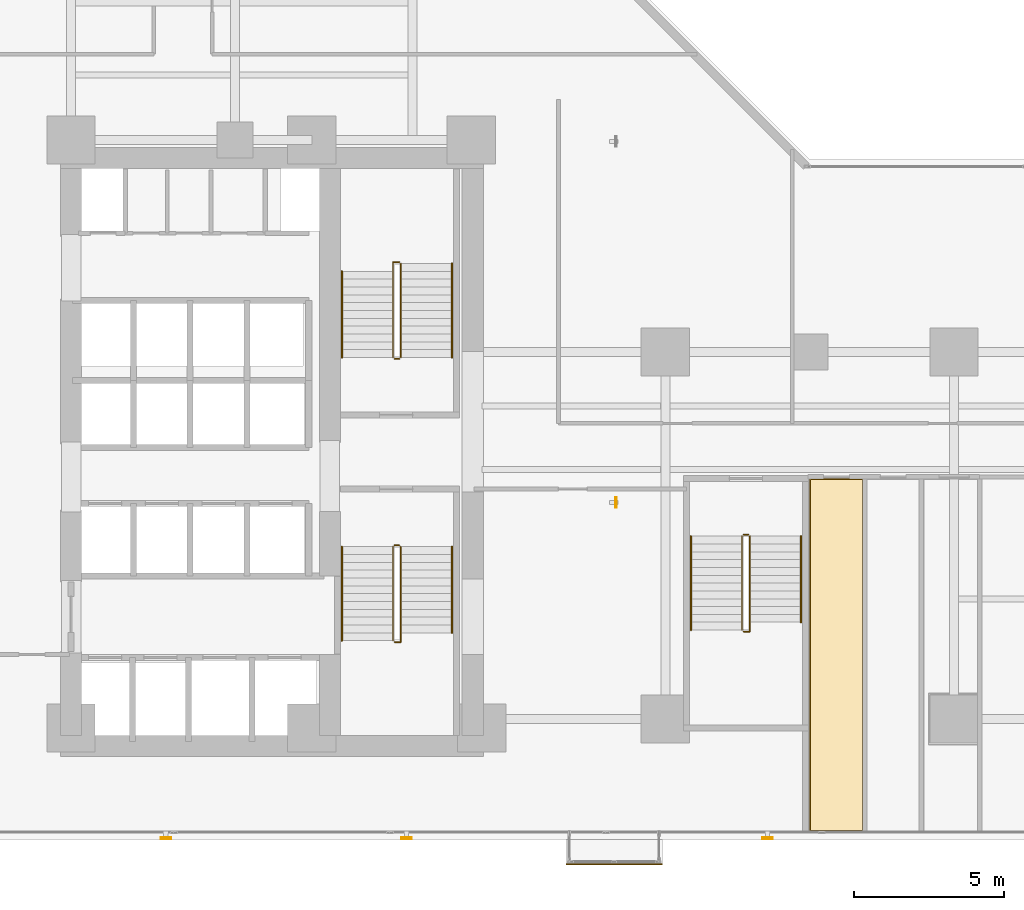
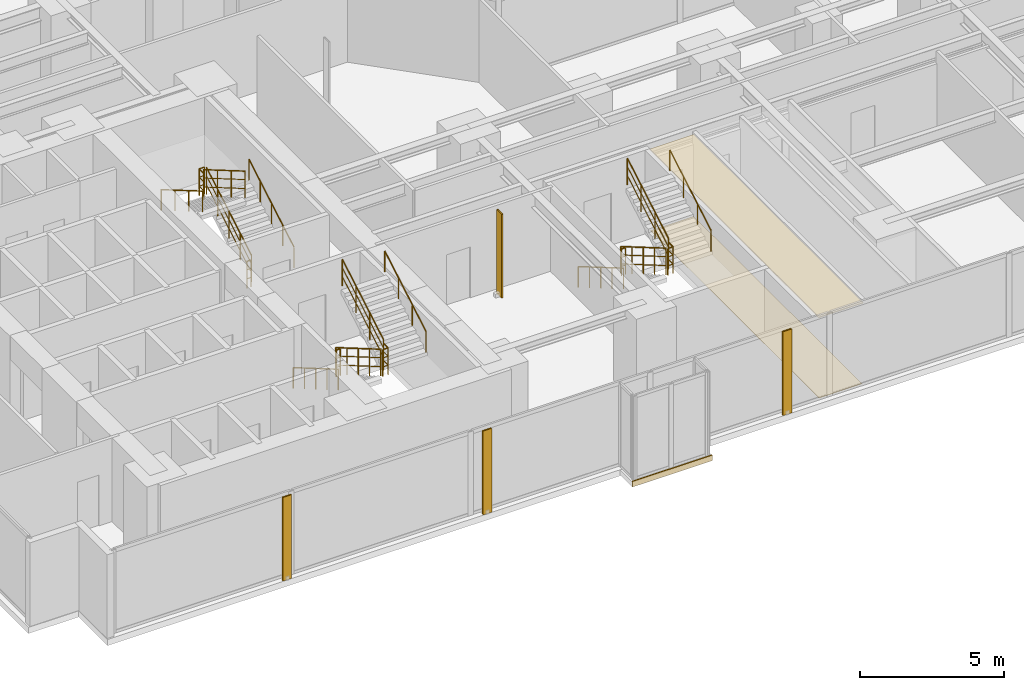
# One storey, part 26 of 28: 18 railings, 4 shading devices, 3 coverings.
"""IFC4 building model written with IfcOpenShell, lengths in metres."""

from ifc_helpers import new_model, si_unit, direction, frame, origin, origin_2d, place, context, subcontext, project, spatial, polyline, rectangle, hollow_rectangle, circle, outline, extrude, material, layer, layer_set, material_profile, profile_set, type_object, element, save


model = new_model("IFC4")

# Units and contexts
model_context = context("Model", 3, precision=1e-05, world=origin(), true_north=direction((0.0, 1.0)))
body_context = subcontext(model_context, "Body", "Model", "MODEL_VIEW")
ifc_project = project(units=[si_unit("LENGTHUNIT", "METRE"), si_unit("AREAUNIT", "SQUARE_METRE"), si_unit("VOLUMEUNIT", "CUBIC_METRE"), si_unit("PLANEANGLEUNIT", "RADIAN"), si_unit("MASSUNIT", "GRAM", prefix="KILO")], contexts=[model_context])

# Site, building, storey
site_placement = place(None, origin())
site = spatial("IfcSite", under=ifc_project, at=site_placement, CompositionType="ELEMENT")
building_placement = place(site_placement, origin())
building = spatial("IfcBuilding", under=site, at=building_placement, Name="Kolvaren Waterfront Exchange", CompositionType="ELEMENT")
storey_placement = place(building_placement, frame((0.0, 0.0, 75.199951171875)))
storey = spatial("IfcBuildingStorey", under=building, at=storey_placement, Name="L19", CompositionType="ELEMENT", Elevation=75.199951171875)

# Coverings
ifc_material_1 = material(Name="Mineral fibre acoustic ceiling tile")
ifc_layer_1 = layer(ifc_material_1, 0.02490234375, Name="Mineral fibre acoustic ceiling tile")
ifc_layer_set_1 = layer_set([ifc_layer_1], Name="Mineral fibre acoustic ceiling tile")
covering_type_1 = type_object("IfcCoveringType", Name="ARC-CEIL-ACOUSTIC-25", PredefinedType="CEILING", material=ifc_layer_set_1)
covering_1_placement = place(storey_placement, frame((0.0, 0.0, 3.425048828125)))
element("IfcCovering", 1, at=covering_1_placement, inside=storey, type_object=covering_type_1, Name="L19 acoustic suspended ceiling 1", PredefinedType="CEILING", context=body_context, shape_type="SweptSolid", body=[
    extrude(outline(polyline([(33.784912109375, 1.465087890625), (33.784912109375, 13.195068359375), (32.0, 13.195068359375), (32.0, 4.800048828125), (31.9951171875, 4.800048828125), (31.9951171875, 1.465087890625), (33.784912109375, 1.465087890625)])), origin(), (0.0, 0.0, 1.0), 0.02490234375),
])
ifc_material_2 = material(Name="Anodised bronze fascia aluminium", Category="aluminium")
ifc_layer_2 = layer(ifc_material_2, 0.034912109375, Name="Anodised bronze fascia aluminium")
ifc_layer_set_2 = layer_set([ifc_layer_2], Name="Anodised bronze fascia aluminium")
covering_type_2 = type_object("IfcCoveringType", Name="ARC-CLAD-BRONZE-35", PredefinedType="CLADDING", material=ifc_layer_set_2)
covering_2_placement = place(storey_placement, frame((25.5, 0.3701171875, -0.2197265625), z_axis=(0.0, 0.0, 1.0), x_axis=(1.0, 0.0, 0.0)))
element("IfcCovering", 2, at=covering_2_placement, inside=storey, type_object=covering_type_2, Name="L19 ribbed anodised bronze bay-box fascia", PredefinedType="CLADDING", context=body_context, shape_type="SweptSolid", body=[
    extrude(rectangle(XDim=3.199951171875, YDim=0.034912109375, at=origin_2d()), origin(), (0.0, 0.0, 1.0), 0.239990234375),
])

# Shading devices
ifc_material_3 = material(Name="Anodised bronze aluminium 6063-T6", Category="aluminium")
ifc_material_profile = material_profile(ifc_material_3, hollow_rectangle(XDim=0.06005859375, YDim=0.35009765625, WallThickness=0.0048828125, at=origin_2d()), Name="BRZ-FIN-350x60x5")
ifc_profile_set = profile_set([ifc_material_profile], Name="Anodised bronze aluminium 6063-T6")
shading_device_type = type_object("IfcShadingDeviceType", Name="ARC-FIN-350", PredefinedType="USERDEFINED", material=ifc_profile_set)
for number, where, z_axis, x_axis, name in (
    (3, (10.60009765625, 1.239990234375, 0.0), (0.0, 0.0, 1.0), (0.0, -1.0, 0.0), "L19 anodised bronze solar shading fin FIN-L19-S1"),
    (4, (18.60009765625, 1.239990234375, 0.0), (0.0, 0.0, 1.0), (0.0, -1.0, 0.0), "L19 anodised bronze solar shading fin FIN-L19-S2"),
    (5, (30.60009765625, 1.239990234375, 0.0), (0.0, 0.0, 1.0), (0.0, -1.0, 0.0), "L19 anodised bronze solar shading fin FIN-L19-S3"),
    (6, (25.56005859375, 12.39990234375, 0.0), (0.0, 0.0, 1.0), (1.0, 0.0, 0.0), "L19 anodised bronze solar shading fin FIN-L19-E1"),
):
    element("IfcShadingDevice", number, at=place(storey_placement, frame(where, z_axis=z_axis, x_axis=x_axis)), inside=storey, type_object=shading_device_type, Name=name, ObjectType="SOLAR FIN", PredefinedType="USERDEFINED", context=body_context, shape_type="SweptSolid", body=[
        extrude(hollow_rectangle(XDim=0.06005859375, YDim=0.35009765625, WallThickness=0.0048828125, at=origin_2d()), origin(), (0.0, 0.0, 1.0), 3.5400390625),
    ])

# Covering
ifc_material_4 = material(Name="Slip-resistant porcelain tile")
ifc_layer_3 = layer(ifc_material_4, 0.014892578125, Name="Slip-resistant porcelain tile")
ifc_layer_set_3 = layer_set([ifc_layer_3], Name="Slip-resistant porcelain tile")
covering_type_3 = type_object("IfcCoveringType", Name="ARC-FLR-PORC-15", PredefinedType="FLOORING", material=ifc_layer_set_3)
covering_3_placement = place(storey_placement, origin())
element("IfcCovering", 7, at=covering_3_placement, inside=storey, type_object=covering_type_3, Name="L19 floor finish 1", PredefinedType="FLOORING", context=body_context, shape_type="SweptSolid", body=[
    extrude(outline(polyline([(32.030029296875, 13.159912109375), (32.030029296875, 1.5), (33.75, 1.5), (33.75, 13.159912109375), (32.030029296875, 13.159912109375)])), origin(), (0.0, 0.0, 1.0), 0.01513671875),
])

# Railings
ifc_material_5 = material(Name="Stainless steel 316", Category="steel")
railing_type_1 = type_object("IfcRailingType", Name="ARC-GUARD-STAIR", PredefinedType="GUARDRAIL", material=ifc_material_5)
railing_1_placement = place(storey_placement, frame((18.14990234375, 10.929931640625, 0.152099609375)))
element("IfcRailing", 8, at=railing_1_placement, inside=storey, type_object=railing_type_1, Name="L19 ST1 stair guard 1", PredefinedType="GUARDRAIL", context=body_context, shape_type="SweptSolid", body=[
    extrude(circle(Radius=0.02392578125, at=origin_2d()), frame((0.0, 0.0, 1.1259765625), z_axis=(0.0, -0.86329090724, 0.504706656858), x_axis=(1.0, 0.0, 0.0)), (0.0, 0.0, 1.0), 3.614013671875),
    extrude(circle(Radius=0.01611328125, at=origin_2d()), frame((0.0, 0.0, 0.390869140625), z_axis=(0.0, -0.86329090724, 0.504706656858), x_axis=(1.0, 0.0, 0.0)), (0.0, 0.0, 1.0), 3.614013671875),
    extrude(circle(Radius=0.01611328125, at=origin_2d()), frame((0.0, 0.0, 0.7705078125), z_axis=(0.0, -0.86329090724, 0.504706656858), x_axis=(1.0, 0.0, 0.0)), (0.0, 0.0, 1.0), 3.614013671875),
    extrude(circle(Radius=0.02099609375, at=origin_2d()), origin(), (0.0, 0.0, 1.0), 1.101806640625),
    extrude(circle(Radius=0.02099609375, at=origin_2d()), frame((0.0, -0.780029296875, 0.4560546875)), (0.0, 0.0, 1.0), 1.101806640625),
    extrude(circle(Radius=0.02099609375, at=origin_2d()), frame((0.0, -1.56005859375, 0.912109375)), (0.0, 0.0, 1.0), 1.101806640625),
    extrude(circle(Radius=0.02099609375, at=origin_2d()), frame((0.0, -2.33984375, 1.367919921875)), (0.0, 0.0, 1.0), 1.101806640625),
    extrude(circle(Radius=0.02099609375, at=origin_2d()), frame((0.0, -3.119873046875, 1.823974609375)), (0.0, 0.0, 1.0), 1.101806640625),
])
railing_2_placement = place(storey_placement, frame((18.199951171875, 7.760009765625, 1.97607421875)))
element("IfcRailing", 9, at=railing_2_placement, inside=storey, type_object=railing_type_1, Name="L19 ST1 stair guard 2", PredefinedType="GUARDRAIL", context=body_context, shape_type="SweptSolid", body=[
    extrude(circle(Radius=0.02392578125, at=origin_2d()), frame((0.0, 0.0, 1.1259765625), z_axis=(1.0, 0.0, 0.0), x_axis=(0.0, 1.0, 0.0)), (0.0, 0.0, 1.0), 0.2099609375),
    extrude(circle(Radius=0.01611328125, at=origin_2d()), frame((0.0, 0.0, 0.390869140625), z_axis=(1.0, 0.0, 0.0), x_axis=(0.0, 1.0, 0.0)), (0.0, 0.0, 1.0), 0.2099609375),
    extrude(circle(Radius=0.01611328125, at=origin_2d()), frame((0.0, 0.0, 0.7705078125), z_axis=(1.0, 0.0, 0.0), x_axis=(0.0, 1.0, 0.0)), (0.0, 0.0, 1.0), 0.2099609375),
    extrude(circle(Radius=0.02392578125, at=origin_2d()), frame((0.2099609375, 0.0, 1.1259765625), z_axis=(0.0, 1.0, 0.0), x_axis=(-1.0, 0.0, 0.0)), (0.0, 0.0, 1.0), 0.31005859375),
    extrude(circle(Radius=0.01611328125, at=origin_2d()), frame((0.2099609375, 0.0, 0.390869140625), z_axis=(0.0, 1.0, 0.0), x_axis=(-1.0, 0.0, 0.0)), (0.0, 0.0, 1.0), 0.31005859375),
    extrude(circle(Radius=0.01611328125, at=origin_2d()), frame((0.2099609375, 0.0, 0.7705078125), z_axis=(0.0, 1.0, 0.0), x_axis=(-1.0, 0.0, 0.0)), (0.0, 0.0, 1.0), 0.31005859375),
    extrude(circle(Radius=0.02099609375, at=origin_2d()), origin(), (0.0, 0.0, 1.0), 1.101806640625),
    extrude(circle(Radius=0.02099609375, at=origin_2d()), frame((0.2099609375, 0.0, 0.0)), (0.0, 0.0, 1.0), 1.101806640625),
    extrude(circle(Radius=0.02099609375, at=origin_2d()), frame((0.2099609375, 0.31005859375, 0.0)), (0.0, 0.0, 1.0), 1.101806640625),
])
railing_3_placement = place(storey_placement, frame((18.409912109375, 8.070068359375, 2.1279296875)))
element("IfcRailing", 10, at=railing_3_placement, inside=storey, type_object=railing_type_1, Name="L19 ST1 stair guard 3", PredefinedType="GUARDRAIL", context=body_context, shape_type="SweptSolid", body=[
    extrude(circle(Radius=0.02392578125, at=origin_2d()), frame((0.0, 0.0, 1.1259765625), z_axis=(0.0, 0.863270611444, 0.50474137082), x_axis=(-1.0, 0.0, 0.0)), (0.0, 0.0, 1.0), 3.312744140625),
    extrude(circle(Radius=0.01611328125, at=origin_2d()), frame((0.0, 0.0, 0.390869140625), z_axis=(0.0, 0.863270611444, 0.50474137082), x_axis=(-1.0, 0.0, 0.0)), (0.0, 0.0, 1.0), 3.312744140625),
    extrude(circle(Radius=0.01611328125, at=origin_2d()), frame((0.0, 0.0, 0.7705078125), z_axis=(0.0, 0.863270611444, 0.50474137082), x_axis=(-1.0, 0.0, 0.0)), (0.0, 0.0, 1.0), 3.312744140625),
    extrude(circle(Radius=0.02099609375, at=origin_2d()), origin(), (0.0, 0.0, 1.0), 1.101806640625),
    extrude(circle(Radius=0.02099609375, at=origin_2d()), frame((0.0, 0.953369140625, 0.557373046875)), (0.0, 0.0, 1.0), 1.101806640625),
    extrude(circle(Radius=0.02099609375, at=origin_2d()), frame((0.0, 1.906494140625, 1.11474609375)), (0.0, 0.0, 1.0), 1.101806640625),
    extrude(circle(Radius=0.02099609375, at=origin_2d()), frame((0.0, 2.85986328125, 1.672119140625)), (0.0, 0.0, 1.0), 1.101806640625),
])
railing_4_placement = place(storey_placement, frame((18.199951171875, 10.97998046875, 0.0)))
element("IfcRailing", 11, at=railing_4_placement, inside=storey, type_object=railing_type_1, Name="L19 ST1 stair guard 4", PredefinedType="GUARDRAIL", context=body_context, shape_type="SweptSolid", body=[
    extrude(circle(Radius=0.02392578125, at=origin_2d()), frame((0.0, 0.0, 1.1259765625), z_axis=(1.0, 0.0, 0.0), x_axis=(0.0, 1.0, 0.0)), (0.0, 0.0, 1.0), 0.16015625),
    extrude(circle(Radius=0.01611328125, at=origin_2d()), frame((0.0, 0.0, 0.390869140625), z_axis=(1.0, 0.0, 0.0), x_axis=(0.0, 1.0, 0.0)), (0.0, 0.0, 1.0), 0.16015625),
    extrude(circle(Radius=0.01611328125, at=origin_2d()), frame((0.0, 0.0, 0.7705078125), z_axis=(1.0, 0.0, 0.0), x_axis=(0.0, 1.0, 0.0)), (0.0, 0.0, 1.0), 0.16015625),
    extrude(circle(Radius=0.02099609375, at=origin_2d()), origin(), (0.0, 0.0, 1.0), 1.101806640625),
    extrude(circle(Radius=0.02099609375, at=origin_2d()), frame((0.16015625, 0.0, 0.0)), (0.0, 0.0, 1.0), 1.101806640625),
])
railing_5_placement = place(storey_placement, frame((18.409912109375, 17.219970703125, 0.152099609375)))
element("IfcRailing", 12, at=railing_5_placement, inside=storey, type_object=railing_type_1, Name="L19 ST2 stair guard 1", PredefinedType="GUARDRAIL", context=body_context, shape_type="SweptSolid", body=[
    extrude(circle(Radius=0.02392578125, at=origin_2d()), frame((0.0, 0.0, 1.1259765625), z_axis=(0.0, 0.86330811405, 0.504677223793), x_axis=(-1.0, 0.0, 0.0)), (0.0, 0.0, 1.0), 3.6142578125),
    extrude(circle(Radius=0.01611328125, at=origin_2d()), frame((0.0, 0.0, 0.390869140625), z_axis=(0.0, 0.86330811405, 0.504677223793), x_axis=(-1.0, 0.0, 0.0)), (0.0, 0.0, 1.0), 3.6142578125),
    extrude(circle(Radius=0.01611328125, at=origin_2d()), frame((0.0, 0.0, 0.7705078125), z_axis=(0.0, 0.86330811405, 0.504677223793), x_axis=(-1.0, 0.0, 0.0)), (0.0, 0.0, 1.0), 3.6142578125),
    extrude(circle(Radius=0.02099609375, at=origin_2d()), origin(), (0.0, 0.0, 1.0), 1.101806640625),
    extrude(circle(Radius=0.02099609375, at=origin_2d()), frame((0.0, 0.780029296875, 0.4560546875)), (0.0, 0.0, 1.0), 1.101806640625),
    extrude(circle(Radius=0.02099609375, at=origin_2d()), frame((0.0, 1.56005859375, 0.912109375)), (0.0, 0.0, 1.0), 1.101806640625),
    extrude(circle(Radius=0.02099609375, at=origin_2d()), frame((0.0, 2.340087890625, 1.367919921875)), (0.0, 0.0, 1.0), 1.101806640625),
    extrude(circle(Radius=0.02099609375, at=origin_2d()), frame((0.0, 3.1201171875, 1.823974609375)), (0.0, 0.0, 1.0), 1.101806640625),
])
railing_6_placement = place(storey_placement, frame((18.360107421875, 20.389892578125, 1.97607421875)))
element("IfcRailing", 13, at=railing_6_placement, inside=storey, type_object=railing_type_1, Name="L19 ST2 stair guard 2", PredefinedType="GUARDRAIL", context=body_context, shape_type="SweptSolid", body=[
    extrude(circle(Radius=0.02392578125, at=origin_2d()), frame((0.0, 0.0, 1.1259765625), z_axis=(-1.0, 0.0, 0.0), x_axis=(0.0, -1.0, 0.0)), (0.0, 0.0, 1.0), 0.210205078125),
    extrude(circle(Radius=0.01611328125, at=origin_2d()), frame((0.0, 0.0, 0.390869140625), z_axis=(-1.0, 0.0, 0.0), x_axis=(0.0, -1.0, 0.0)), (0.0, 0.0, 1.0), 0.210205078125),
    extrude(circle(Radius=0.01611328125, at=origin_2d()), frame((0.0, 0.0, 0.7705078125), z_axis=(-1.0, 0.0, 0.0), x_axis=(0.0, -1.0, 0.0)), (0.0, 0.0, 1.0), 0.210205078125),
    extrude(circle(Radius=0.02392578125, at=origin_2d()), frame((-0.210205078125, 0.0, 1.1259765625), z_axis=(0.0, -1.0, 0.0), x_axis=(1.0, 0.0, 0.0)), (0.0, 0.0, 1.0), 0.309814453125),
    extrude(circle(Radius=0.01611328125, at=origin_2d()), frame((-0.210205078125, 0.0, 0.390869140625), z_axis=(0.0, -1.0, 0.0), x_axis=(1.0, 0.0, 0.0)), (0.0, 0.0, 1.0), 0.309814453125),
    extrude(circle(Radius=0.01611328125, at=origin_2d()), frame((-0.210205078125, 0.0, 0.7705078125), z_axis=(0.0, -1.0, 0.0), x_axis=(1.0, 0.0, 0.0)), (0.0, 0.0, 1.0), 0.309814453125),
    extrude(circle(Radius=0.02099609375, at=origin_2d()), origin(), (0.0, 0.0, 1.0), 1.101806640625),
    extrude(circle(Radius=0.02099609375, at=origin_2d()), frame((-0.210205078125, 0.0, 0.0)), (0.0, 0.0, 1.0), 1.101806640625),
    extrude(circle(Radius=0.02099609375, at=origin_2d()), frame((-0.210205078125, -0.309814453125, 0.0)), (0.0, 0.0, 1.0), 1.101806640625),
])
railing_7_placement = place(storey_placement, frame((18.14990234375, 20.080078125, 2.1279296875)))
element("IfcRailing", 14, at=railing_7_placement, inside=storey, type_object=railing_type_1, Name="L19 ST2 stair guard 3", PredefinedType="GUARDRAIL", context=body_context, shape_type="SweptSolid", body=[
    extrude(circle(Radius=0.02392578125, at=origin_2d()), frame((0.0, 0.0, 1.1259765625), z_axis=(0.0, -0.863289384635, 0.504709261235), x_axis=(1.0, 0.0, 0.0)), (0.0, 0.0, 1.0), 3.31298828125),
    extrude(circle(Radius=0.01611328125, at=origin_2d()), frame((0.0, 0.0, 0.390869140625), z_axis=(0.0, -0.863289384635, 0.504709261235), x_axis=(1.0, 0.0, 0.0)), (0.0, 0.0, 1.0), 3.31298828125),
    extrude(circle(Radius=0.01611328125, at=origin_2d()), frame((0.0, 0.0, 0.7705078125), z_axis=(0.0, -0.863289384635, 0.504709261235), x_axis=(1.0, 0.0, 0.0)), (0.0, 0.0, 1.0), 3.31298828125),
    extrude(circle(Radius=0.02099609375, at=origin_2d()), origin(), (0.0, 0.0, 1.0), 1.101806640625),
    extrude(circle(Radius=0.02099609375, at=origin_2d()), frame((0.0, -0.953369140625, 0.557373046875)), (0.0, 0.0, 1.0), 1.101806640625),
    extrude(circle(Radius=0.02099609375, at=origin_2d()), frame((0.0, -1.90673828125, 1.11474609375)), (0.0, 0.0, 1.0), 1.101806640625),
    extrude(circle(Radius=0.02099609375, at=origin_2d()), frame((0.0, -2.860107421875, 1.672119140625)), (0.0, 0.0, 1.0), 1.101806640625),
])
railing_8_placement = place(storey_placement, frame((18.360107421875, 17.169921875, 0.0)))
element("IfcRailing", 15, at=railing_8_placement, inside=storey, type_object=railing_type_1, Name="L19 ST2 stair guard 4", PredefinedType="GUARDRAIL", context=body_context, shape_type="SweptSolid", body=[
    extrude(circle(Radius=0.02392578125, at=origin_2d()), frame((0.0, 0.0, 1.1259765625), z_axis=(-1.0, 0.0, 0.0), x_axis=(0.0, -1.0, 0.0)), (0.0, 0.0, 1.0), 0.16015625),
    extrude(circle(Radius=0.01611328125, at=origin_2d()), frame((0.0, 0.0, 0.390869140625), z_axis=(-1.0, 0.0, 0.0), x_axis=(0.0, -1.0, 0.0)), (0.0, 0.0, 1.0), 0.16015625),
    extrude(circle(Radius=0.01611328125, at=origin_2d()), frame((0.0, 0.0, 0.7705078125), z_axis=(-1.0, 0.0, 0.0), x_axis=(0.0, -1.0, 0.0)), (0.0, 0.0, 1.0), 0.16015625),
    extrude(circle(Radius=0.02099609375, at=origin_2d()), origin(), (0.0, 0.0, 1.0), 1.101806640625),
    extrude(circle(Radius=0.02099609375, at=origin_2d()), frame((-0.16015625, 0.0, 0.0)), (0.0, 0.0, 1.0), 1.101806640625),
])
railing_9_placement = place(storey_placement, frame((29.75, 11.280029296875, 0.152099609375)))
element("IfcRailing", 16, at=railing_9_placement, inside=storey, type_object=railing_type_1, Name="L19 ST3 stair guard 1", PredefinedType="GUARDRAIL", context=body_context, shape_type="SweptSolid", body=[
    extrude(circle(Radius=0.02392578125, at=origin_2d()), frame((0.0, 0.0, 1.1259765625), z_axis=(0.0, -0.86330811405, 0.504677223793), x_axis=(1.0, 0.0, 0.0)), (0.0, 0.0, 1.0), 3.6142578125),
    extrude(circle(Radius=0.01611328125, at=origin_2d()), frame((0.0, 0.0, 0.390869140625), z_axis=(0.0, -0.86330811405, 0.504677223793), x_axis=(1.0, 0.0, 0.0)), (0.0, 0.0, 1.0), 3.6142578125),
    extrude(circle(Radius=0.01611328125, at=origin_2d()), frame((0.0, 0.0, 0.7705078125), z_axis=(0.0, -0.86330811405, 0.504677223793), x_axis=(1.0, 0.0, 0.0)), (0.0, 0.0, 1.0), 3.6142578125),
    extrude(circle(Radius=0.02099609375, at=origin_2d()), origin(), (0.0, 0.0, 1.0), 1.101806640625),
    extrude(circle(Radius=0.02099609375, at=origin_2d()), frame((0.0, -0.780029296875, 0.4560546875)), (0.0, 0.0, 1.0), 1.101806640625),
    extrude(circle(Radius=0.02099609375, at=origin_2d()), frame((0.0, -1.56005859375, 0.912109375)), (0.0, 0.0, 1.0), 1.101806640625),
    extrude(circle(Radius=0.02099609375, at=origin_2d()), frame((0.0, -2.340087890625, 1.367919921875)), (0.0, 0.0, 1.0), 1.101806640625),
    extrude(circle(Radius=0.02099609375, at=origin_2d()), frame((0.0, -3.1201171875, 1.823974609375)), (0.0, 0.0, 1.0), 1.101806640625),
])
railing_10_placement = place(storey_placement, frame((29.800048828125, 8.110107421875, 1.97607421875)))
element("IfcRailing", 17, at=railing_10_placement, inside=storey, type_object=railing_type_1, Name="L19 ST3 stair guard 2", PredefinedType="GUARDRAIL", context=body_context, shape_type="SweptSolid", body=[
    extrude(circle(Radius=0.02392578125, at=origin_2d()), frame((0.0, 0.0, 1.1259765625), z_axis=(1.0, 0.0, 0.0), x_axis=(0.0, 1.0, 0.0)), (0.0, 0.0, 1.0), 0.2099609375),
    extrude(circle(Radius=0.01611328125, at=origin_2d()), frame((0.0, 0.0, 0.390869140625), z_axis=(1.0, 0.0, 0.0), x_axis=(0.0, 1.0, 0.0)), (0.0, 0.0, 1.0), 0.2099609375),
    extrude(circle(Radius=0.01611328125, at=origin_2d()), frame((0.0, 0.0, 0.7705078125), z_axis=(1.0, 0.0, 0.0), x_axis=(0.0, 1.0, 0.0)), (0.0, 0.0, 1.0), 0.2099609375),
    extrude(circle(Radius=0.02392578125, at=origin_2d()), frame((0.2099609375, 0.0, 1.1259765625), z_axis=(0.0, 1.0, 0.0), x_axis=(-1.0, 0.0, 0.0)), (0.0, 0.0, 1.0), 0.309814453125),
    extrude(circle(Radius=0.01611328125, at=origin_2d()), frame((0.2099609375, 0.0, 0.390869140625), z_axis=(0.0, 1.0, 0.0), x_axis=(-1.0, 0.0, 0.0)), (0.0, 0.0, 1.0), 0.309814453125),
    extrude(circle(Radius=0.01611328125, at=origin_2d()), frame((0.2099609375, 0.0, 0.7705078125), z_axis=(0.0, 1.0, 0.0), x_axis=(-1.0, 0.0, 0.0)), (0.0, 0.0, 1.0), 0.309814453125),
    extrude(circle(Radius=0.02099609375, at=origin_2d()), origin(), (0.0, 0.0, 1.0), 1.101806640625),
    extrude(circle(Radius=0.02099609375, at=origin_2d()), frame((0.2099609375, 0.0, 0.0)), (0.0, 0.0, 1.0), 1.101806640625),
    extrude(circle(Radius=0.02099609375, at=origin_2d()), frame((0.2099609375, 0.309814453125, 0.0)), (0.0, 0.0, 1.0), 1.101806640625),
])
railing_11_placement = place(storey_placement, frame((30.010009765625, 8.419921875, 2.1279296875)))
element("IfcRailing", 18, at=railing_11_placement, inside=storey, type_object=railing_type_1, Name="L19 ST3 stair guard 3", PredefinedType="GUARDRAIL", context=body_context, shape_type="SweptSolid", body=[
    extrude(circle(Radius=0.02392578125, at=origin_2d()), frame((0.0, 0.0, 1.1259765625), z_axis=(0.0, 0.863289384635, 0.504709261235), x_axis=(-1.0, 0.0, 0.0)), (0.0, 0.0, 1.0), 3.31298828125),
    extrude(circle(Radius=0.01611328125, at=origin_2d()), frame((0.0, 0.0, 0.390869140625), z_axis=(0.0, 0.863289384635, 0.504709261235), x_axis=(-1.0, 0.0, 0.0)), (0.0, 0.0, 1.0), 3.31298828125),
    extrude(circle(Radius=0.01611328125, at=origin_2d()), frame((0.0, 0.0, 0.7705078125), z_axis=(0.0, 0.863289384635, 0.504709261235), x_axis=(-1.0, 0.0, 0.0)), (0.0, 0.0, 1.0), 3.31298828125),
    extrude(circle(Radius=0.02099609375, at=origin_2d()), origin(), (0.0, 0.0, 1.0), 1.101806640625),
    extrude(circle(Radius=0.02099609375, at=origin_2d()), frame((0.0, 0.953369140625, 0.557373046875)), (0.0, 0.0, 1.0), 1.101806640625),
    extrude(circle(Radius=0.02099609375, at=origin_2d()), frame((0.0, 1.90673828125, 1.11474609375)), (0.0, 0.0, 1.0), 1.101806640625),
    extrude(circle(Radius=0.02099609375, at=origin_2d()), frame((0.0, 2.860107421875, 1.672119140625)), (0.0, 0.0, 1.0), 1.101806640625),
])
railing_12_placement = place(storey_placement, frame((29.800048828125, 11.330078125, 0.0)))
element("IfcRailing", 19, at=railing_12_placement, inside=storey, type_object=railing_type_1, Name="L19 ST3 stair guard 4", PredefinedType="GUARDRAIL", context=body_context, shape_type="SweptSolid", body=[
    extrude(circle(Radius=0.02392578125, at=origin_2d()), frame((0.0, 0.0, 1.1259765625), z_axis=(1.0, 0.0, 0.0), x_axis=(0.0, 1.0, 0.0)), (0.0, 0.0, 1.0), 0.159912109375),
    extrude(circle(Radius=0.01611328125, at=origin_2d()), frame((0.0, 0.0, 0.390869140625), z_axis=(1.0, 0.0, 0.0), x_axis=(0.0, 1.0, 0.0)), (0.0, 0.0, 1.0), 0.159912109375),
    extrude(circle(Radius=0.01611328125, at=origin_2d()), frame((0.0, 0.0, 0.7705078125), z_axis=(1.0, 0.0, 0.0), x_axis=(0.0, 1.0, 0.0)), (0.0, 0.0, 1.0), 0.159912109375),
    extrude(circle(Radius=0.02099609375, at=origin_2d()), origin(), (0.0, 0.0, 1.0), 1.101806640625),
    extrude(circle(Radius=0.02099609375, at=origin_2d()), frame((0.159912109375, 0.0, 0.0)), (0.0, 0.0, 1.0), 1.101806640625),
])
railing_type_2 = type_object("IfcRailingType", Name="ARC-HANDRAIL-900", PredefinedType="HANDRAIL", material=ifc_material_5)
railing_13_placement = place(storey_placement, frame((16.449951171875, 10.929931640625, 0.152099609375)))
element("IfcRailing", 20, at=railing_13_placement, inside=storey, type_object=railing_type_2, Name="L19 ST1 stair handrail 1", PredefinedType="HANDRAIL", context=body_context, shape_type="SweptSolid", body=[
    extrude(circle(Radius=0.02392578125, at=origin_2d()), frame((0.0, 0.0, 0.8759765625), z_axis=(0.0, -0.86329090724, 0.504706656858), x_axis=(1.0, 0.0, 0.0)), (0.0, 0.0, 1.0), 3.614013671875),
    extrude(circle(Radius=0.02099609375, at=origin_2d()), origin(), (0.0, 0.0, 1.0), 0.851806640625),
    extrude(circle(Radius=0.02099609375, at=origin_2d()), frame((0.0, -0.780029296875, 0.4560546875)), (0.0, 0.0, 1.0), 0.851806640625),
    extrude(circle(Radius=0.02099609375, at=origin_2d()), frame((0.0, -1.56005859375, 0.912109375)), (0.0, 0.0, 1.0), 0.851806640625),
    extrude(circle(Radius=0.02099609375, at=origin_2d()), frame((0.0, -2.33984375, 1.367919921875)), (0.0, 0.0, 1.0), 0.851806640625),
    extrude(circle(Radius=0.02099609375, at=origin_2d()), frame((0.0, -3.119873046875, 1.823974609375)), (0.0, 0.0, 1.0), 0.851806640625),
])
railing_14_placement = place(storey_placement, frame((20.110107421875, 8.070068359375, 2.1279296875)))
element("IfcRailing", 21, at=railing_14_placement, inside=storey, type_object=railing_type_2, Name="L19 ST1 stair handrail 2", PredefinedType="HANDRAIL", context=body_context, shape_type="SweptSolid", body=[
    extrude(circle(Radius=0.02392578125, at=origin_2d()), frame((0.0, 0.0, 0.8759765625), z_axis=(0.0, 0.863270611444, 0.50474137082), x_axis=(-1.0, 0.0, 0.0)), (0.0, 0.0, 1.0), 3.312744140625),
    extrude(circle(Radius=0.02099609375, at=origin_2d()), origin(), (0.0, 0.0, 1.0), 0.851806640625),
    extrude(circle(Radius=0.02099609375, at=origin_2d()), frame((0.0, 0.953369140625, 0.557373046875)), (0.0, 0.0, 1.0), 0.851806640625),
    extrude(circle(Radius=0.02099609375, at=origin_2d()), frame((0.0, 1.906494140625, 1.11474609375)), (0.0, 0.0, 1.0), 0.851806640625),
    extrude(circle(Radius=0.02099609375, at=origin_2d()), frame((0.0, 2.85986328125, 1.672119140625)), (0.0, 0.0, 1.0), 0.851806640625),
])
railing_15_placement = place(storey_placement, frame((20.110107421875, 17.219970703125, 0.152099609375)))
element("IfcRailing", 22, at=railing_15_placement, inside=storey, type_object=railing_type_2, Name="L19 ST2 stair handrail 1", PredefinedType="HANDRAIL", context=body_context, shape_type="SweptSolid", body=[
    extrude(circle(Radius=0.02392578125, at=origin_2d()), frame((0.0, 0.0, 0.8759765625), z_axis=(0.0, 0.86330811405, 0.504677223793), x_axis=(-1.0, 0.0, 0.0)), (0.0, 0.0, 1.0), 3.6142578125),
    extrude(circle(Radius=0.02099609375, at=origin_2d()), origin(), (0.0, 0.0, 1.0), 0.851806640625),
    extrude(circle(Radius=0.02099609375, at=origin_2d()), frame((0.0, 0.780029296875, 0.4560546875)), (0.0, 0.0, 1.0), 0.851806640625),
    extrude(circle(Radius=0.02099609375, at=origin_2d()), frame((0.0, 1.56005859375, 0.912109375)), (0.0, 0.0, 1.0), 0.851806640625),
    extrude(circle(Radius=0.02099609375, at=origin_2d()), frame((0.0, 2.340087890625, 1.367919921875)), (0.0, 0.0, 1.0), 0.851806640625),
    extrude(circle(Radius=0.02099609375, at=origin_2d()), frame((0.0, 3.1201171875, 1.823974609375)), (0.0, 0.0, 1.0), 0.851806640625),
])
railing_16_placement = place(storey_placement, frame((16.449951171875, 20.080078125, 2.1279296875)))
element("IfcRailing", 23, at=railing_16_placement, inside=storey, type_object=railing_type_2, Name="L19 ST2 stair handrail 2", PredefinedType="HANDRAIL", context=body_context, shape_type="SweptSolid", body=[
    extrude(circle(Radius=0.02392578125, at=origin_2d()), frame((0.0, 0.0, 0.8759765625), z_axis=(0.0, -0.863289384635, 0.504709261235), x_axis=(1.0, 0.0, 0.0)), (0.0, 0.0, 1.0), 3.31298828125),
    extrude(circle(Radius=0.02099609375, at=origin_2d()), origin(), (0.0, 0.0, 1.0), 0.851806640625),
    extrude(circle(Radius=0.02099609375, at=origin_2d()), frame((0.0, -0.953369140625, 0.557373046875)), (0.0, 0.0, 1.0), 0.851806640625),
    extrude(circle(Radius=0.02099609375, at=origin_2d()), frame((0.0, -1.90673828125, 1.11474609375)), (0.0, 0.0, 1.0), 0.851806640625),
    extrude(circle(Radius=0.02099609375, at=origin_2d()), frame((0.0, -2.860107421875, 1.672119140625)), (0.0, 0.0, 1.0), 0.851806640625),
])
railing_17_placement = place(storey_placement, frame((28.050048828125, 11.280029296875, 0.152099609375)))
element("IfcRailing", 24, at=railing_17_placement, inside=storey, type_object=railing_type_2, Name="L19 ST3 stair handrail 1", PredefinedType="HANDRAIL", context=body_context, shape_type="SweptSolid", body=[
    extrude(circle(Radius=0.02392578125, at=origin_2d()), frame((0.0, 0.0, 0.8759765625), z_axis=(0.0, -0.86330811405, 0.504677223793), x_axis=(1.0, 0.0, 0.0)), (0.0, 0.0, 1.0), 3.6142578125),
    extrude(circle(Radius=0.02099609375, at=origin_2d()), origin(), (0.0, 0.0, 1.0), 0.851806640625),
    extrude(circle(Radius=0.02099609375, at=origin_2d()), frame((0.0, -0.780029296875, 0.4560546875)), (0.0, 0.0, 1.0), 0.851806640625),
    extrude(circle(Radius=0.02099609375, at=origin_2d()), frame((0.0, -1.56005859375, 0.912109375)), (0.0, 0.0, 1.0), 0.851806640625),
    extrude(circle(Radius=0.02099609375, at=origin_2d()), frame((0.0, -2.340087890625, 1.367919921875)), (0.0, 0.0, 1.0), 0.851806640625),
    extrude(circle(Radius=0.02099609375, at=origin_2d()), frame((0.0, -3.1201171875, 1.823974609375)), (0.0, 0.0, 1.0), 0.851806640625),
])
railing_18_placement = place(storey_placement, frame((31.7099609375, 8.419921875, 2.1279296875)))
element("IfcRailing", 25, at=railing_18_placement, inside=storey, type_object=railing_type_2, Name="L19 ST3 stair handrail 2", PredefinedType="HANDRAIL", context=body_context, shape_type="SweptSolid", body=[
    extrude(circle(Radius=0.02392578125, at=origin_2d()), frame((0.0, 0.0, 0.8759765625), z_axis=(0.0, 0.863289384635, 0.504709261235), x_axis=(-1.0, 0.0, 0.0)), (0.0, 0.0, 1.0), 3.31298828125),
    extrude(circle(Radius=0.02099609375, at=origin_2d()), origin(), (0.0, 0.0, 1.0), 0.851806640625),
    extrude(circle(Radius=0.02099609375, at=origin_2d()), frame((0.0, 0.953369140625, 0.557373046875)), (0.0, 0.0, 1.0), 0.851806640625),
    extrude(circle(Radius=0.02099609375, at=origin_2d()), frame((0.0, 1.90673828125, 1.11474609375)), (0.0, 0.0, 1.0), 0.851806640625),
    extrude(circle(Radius=0.02099609375, at=origin_2d()), frame((0.0, 2.860107421875, 1.672119140625)), (0.0, 0.0, 1.0), 0.851806640625),
])

save(model, "model.ifc")
